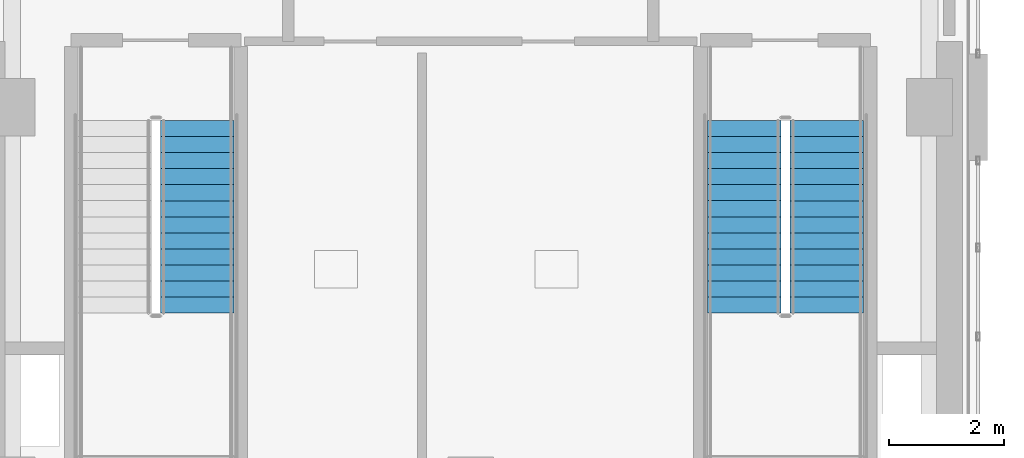
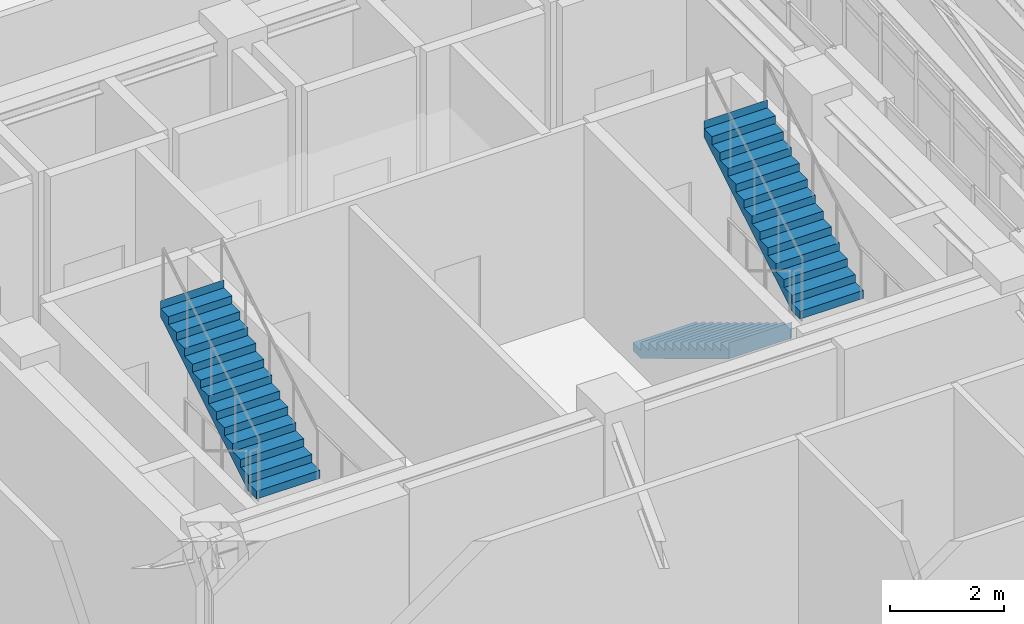
# One storey, part 16 of 19: 3 stair flights, 2 elements without a shape of their own.
"""IFC4 building model written with IfcOpenShell, lengths in metres."""

from ifc_helpers import new_model, si_unit, direction, frame, origin, place, context, subcontext, project, spatial, polyline, outline, extrude, material, type_object, element, aggregate, save


model = new_model("IFC4")

# Units and contexts
model_context = context("Model", 3, precision=1e-05, world=origin(), true_north=direction((0.0, 1.0)))
body_context = subcontext(model_context, "Body", "Model", "MODEL_VIEW")
ifc_project = project(units=[si_unit("LENGTHUNIT", "METRE"), si_unit("AREAUNIT", "SQUARE_METRE"), si_unit("VOLUMEUNIT", "CUBIC_METRE"), si_unit("PLANEANGLEUNIT", "RADIAN"), si_unit("MASSUNIT", "GRAM", prefix="KILO")], contexts=[model_context])

# Site, building, storey
site_placement = place(None, origin())
site = spatial("IfcSite", under=ifc_project, at=site_placement, CompositionType="ELEMENT")
building_placement = place(site_placement, origin())
building = spatial("IfcBuilding", under=site, at=building_placement, Name="Ndelora Gate Hotel", CompositionType="ELEMENT")
storey_placement = place(building_placement, frame((0.0, 0.0, 294.800048828125)))
storey = spatial("IfcBuildingStorey", under=building, at=storey_placement, Name="L73", CompositionType="ELEMENT", Elevation=294.800048828125)

# Stair, stair flight
ifc_material = material(Name="Precast concrete C40/50", Category="concrete")
stair_type = type_object("IfcStairType", Name="STR-DOG-CORE", PredefinedType="HALF_TURN_STAIR", material=ifc_material)
stair_1_placement = place(storey_placement, origin())
stair_1 = element("IfcStair", 1, at=stair_1_placement, inside=storey, type_object=stair_type, Name="L73 Protected Core Exit Stair ST4", PredefinedType="HALF_TURN_STAIR")
stair_flight_type = type_object("IfcStairFlightType", Name="STF-PRECAST", PredefinedType="STRAIGHT", material=ifc_material)
stair_flight_1_placement = place(storey_placement, frame((-4.77001953125, -3.590087890625, 2.199951171875), z_axis=(0.0, 0.0, 1.0), x_axis=(0.0, 1.0, 0.0)))
stair_flight_1 = element("IfcStairFlight", 2, at=stair_flight_1_placement, type_object=stair_flight_type, Name="ST4 flight 2", NumberOfRisers=13, NumberOfTreads=12, PredefinedType="STRAIGHT", RiserHeight=0.169230769, TreadLength=0.28, context=body_context, shape_type="SweptSolid", body=[
    extrude(outline(polyline([(-0.00048828125, 0.0), (-0.00048828125, 0.169189453125), (0.0, 0.169189453125), (0.280029296875, 0.169189453125), (0.280029296875, 0.33837890625), (0.56005859375, 0.33837890625), (0.56005859375, 0.5078125), (0.840087890625, 0.5078125), (0.840087890625, 0.677001953125), (1.1201171875, 0.677001953125), (1.1201171875, 0.84619140625), (1.39990234375, 0.84619140625), (1.39990234375, 1.015380859375), (1.679931640625, 1.015380859375), (1.679931640625, 1.1845703125), (1.9599609375, 1.1845703125), (1.9599609375, 1.353759765625), (2.239990234375, 1.353759765625), (2.239990234375, 1.523193359375), (2.52001953125, 1.523193359375), (2.52001953125, 1.6923828125), (2.800048828125, 1.6923828125), (2.800048828125, 1.861572265625), (3.080078125, 1.861572265625), (3.080078125, 2.03076171875), (3.360107421875, 2.03076171875), (3.360107421875, 2.199951171875), (3.360595703125, 2.199951171875), (3.360595703125, 2.02001953125), (3.360107421875, 1.855712890625), (0.289794921875, 0.0), (-0.00048828125, 0.0)])), frame((0.0, 0.64013671875, 0.0), z_axis=(0.0, -1.0, 0.0), x_axis=(1.0, 0.0, 0.0)), (0.0, 0.0, 1.0), 1.280029296875),
])
aggregate(stair_1, [stair_flight_1])

# Stair, stair flights
stair_2_placement = place(storey_placement, origin())
stair_2 = element("IfcStair", 3, at=stair_2_placement, inside=storey, type_object=stair_type, Name="L73 Protected Core Exit Stair ST5", PredefinedType="HALF_TURN_STAIR")
stair_flight_2_placement = place(storey_placement, frame((4.77001953125, -0.22998046875, 0.0), z_axis=(0.0, 0.0, 1.0), x_axis=(0.0, -1.0, 0.0)))
stair_flight_2 = element("IfcStairFlight", 4, at=stair_flight_2_placement, type_object=stair_flight_type, Name="ST5 flight 1", NumberOfRisers=13, NumberOfTreads=12, PredefinedType="STRAIGHT", RiserHeight=0.169230769, TreadLength=0.28, context=body_context, shape_type="SweptSolid", body=[
    extrude(outline(polyline([(-0.00048828125, 0.0), (-0.00048828125, 0.169189453125), (0.0, 0.169189453125), (0.280029296875, 0.169189453125), (0.280029296875, 0.33837890625), (0.56005859375, 0.33837890625), (0.56005859375, 0.5078125), (0.840087890625, 0.5078125), (0.840087890625, 0.677001953125), (1.1201171875, 0.677001953125), (1.1201171875, 0.84619140625), (1.39990234375, 0.84619140625), (1.39990234375, 1.015380859375), (1.679931640625, 1.015380859375), (1.679931640625, 1.1845703125), (1.9599609375, 1.1845703125), (1.9599609375, 1.353759765625), (2.239990234375, 1.353759765625), (2.239990234375, 1.523193359375), (2.52001953125, 1.523193359375), (2.52001953125, 1.6923828125), (2.800048828125, 1.6923828125), (2.800048828125, 1.861572265625), (3.080078125, 1.861572265625), (3.080078125, 2.03076171875), (3.360107421875, 2.03076171875), (3.360107421875, 2.199951171875), (3.360595703125, 2.199951171875), (3.360595703125, 2.02001953125), (3.360107421875, 1.855712890625), (0.289794921875, 0.0), (-0.00048828125, 0.0)])), frame((0.0, 0.64013671875, 0.0), z_axis=(0.0, -1.0, 0.0), x_axis=(1.0, 0.0, 0.0)), (0.0, 0.0, 1.0), 1.280029296875),
])
stair_flight_3_placement = place(storey_placement, frame((6.2099609375, -3.590087890625, 2.199951171875), z_axis=(0.0, 0.0, 1.0), x_axis=(0.0, 1.0, 0.0)))
stair_flight_3 = element("IfcStairFlight", 5, at=stair_flight_3_placement, type_object=stair_flight_type, Name="ST5 flight 2", NumberOfRisers=13, NumberOfTreads=12, PredefinedType="STRAIGHT", RiserHeight=0.169230769, TreadLength=0.28, context=body_context, shape_type="SweptSolid", body=[
    extrude(outline(polyline([(-0.00048828125, 0.0), (-0.00048828125, 0.169189453125), (0.0, 0.169189453125), (0.280029296875, 0.169189453125), (0.280029296875, 0.33837890625), (0.56005859375, 0.33837890625), (0.56005859375, 0.5078125), (0.840087890625, 0.5078125), (0.840087890625, 0.677001953125), (1.1201171875, 0.677001953125), (1.1201171875, 0.84619140625), (1.39990234375, 0.84619140625), (1.39990234375, 1.015380859375), (1.679931640625, 1.015380859375), (1.679931640625, 1.1845703125), (1.9599609375, 1.1845703125), (1.9599609375, 1.353759765625), (2.239990234375, 1.353759765625), (2.239990234375, 1.523193359375), (2.52001953125, 1.523193359375), (2.52001953125, 1.6923828125), (2.800048828125, 1.6923828125), (2.800048828125, 1.861572265625), (3.080078125, 1.861572265625), (3.080078125, 2.03076171875), (3.360107421875, 2.03076171875), (3.360107421875, 2.199951171875), (3.360595703125, 2.199951171875), (3.360595703125, 2.02001953125), (3.360107421875, 1.855712890625), (0.289794921875, 0.0), (-0.00048828125, 0.0)])), frame((0.0, 0.64013671875, 0.0), z_axis=(0.0, -1.0, 0.0), x_axis=(1.0, 0.0, 0.0)), (0.0, 0.0, 1.0), 1.280029296875),
])
aggregate(stair_2, [stair_flight_2, stair_flight_3])

save(model, "model.ifc")
